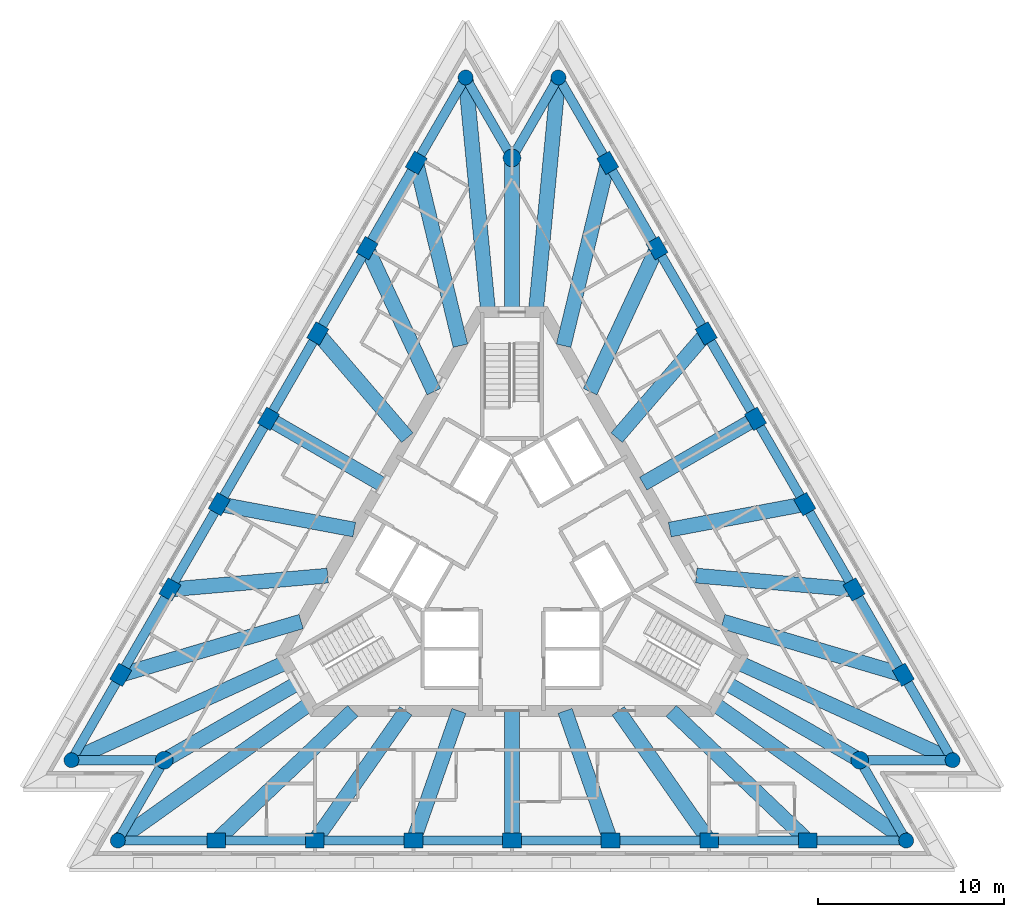
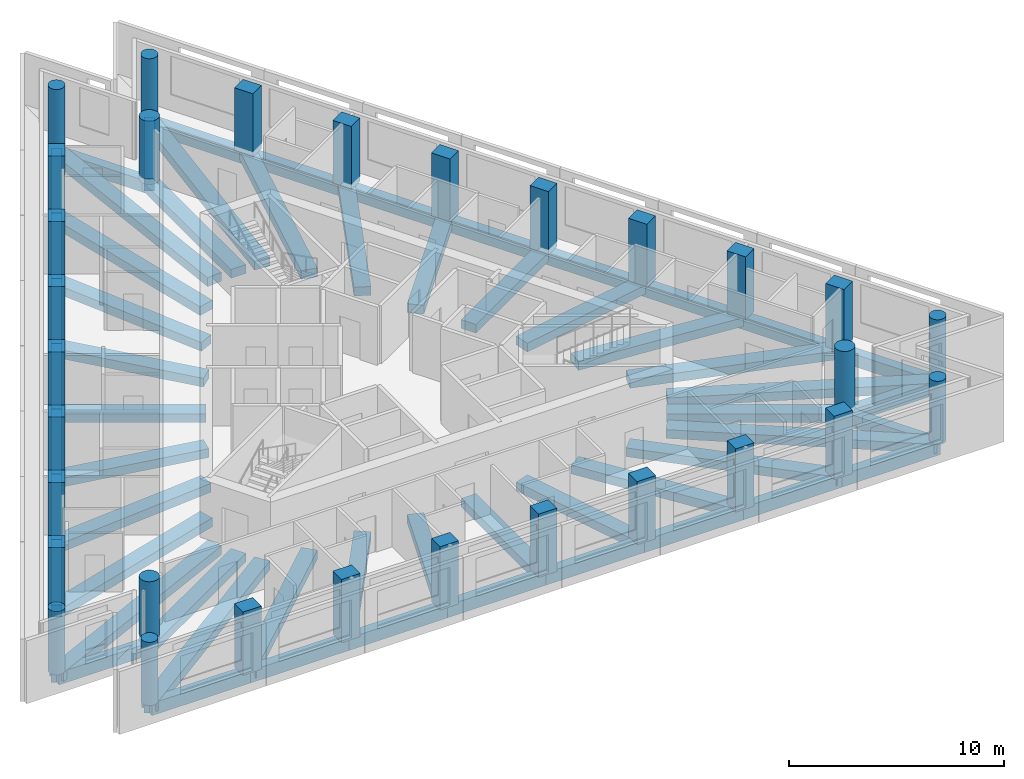
# One storey, part 1 of 11: 60 beams, 30 columns.
"""IFC4 building model written with IfcOpenShell, lengths in metres."""

from ifc_helpers import new_model, si_unit, direction, frame, origin, origin_2d, place, context, subcontext, project, spatial, rectangle, circle, extrude, material, material_profile, profile_set, type_object, element, save


model = new_model("IFC4")

# Units and contexts
model_context = context("Model", 3, precision=1e-05, world=origin(), true_north=direction((0.0, 1.0)))
body_context = subcontext(model_context, "Body", "Model", "MODEL_VIEW")
ifc_project = project(units=[si_unit("LENGTHUNIT", "METRE"), si_unit("AREAUNIT", "SQUARE_METRE"), si_unit("VOLUMEUNIT", "CUBIC_METRE"), si_unit("PLANEANGLEUNIT", "RADIAN"), si_unit("MASSUNIT", "GRAM", prefix="KILO")], contexts=[model_context])

# Site, building, storey
site_placement = place(None, origin())
site = spatial("IfcSite", under=ifc_project, at=site_placement, CompositionType="ELEMENT")
building_placement = place(site_placement, origin())
building = spatial("IfcBuilding", under=site, at=building_placement, Name="Triada Interchange Tower", CompositionType="ELEMENT")
storey_placement = place(building_placement, frame((0.0, 0.0, 304.300048828125)))
storey = spatial("IfcBuildingStorey", under=building, at=storey_placement, Name="L72", CompositionType="ELEMENT", Elevation=304.300048828125)

# Columns
ifc_material_1 = material(Name="Concrete C40/50", Category="concrete")
ifc_material_profile_1 = material_profile(ifc_material_1, rectangle(XDim=1.0, YDim=0.800048828125, at=origin_2d()), Name="RC 1000x800")
ifc_profile_set_1 = profile_set([ifc_material_profile_1], Name="Concrete C40/50")
column_type_1 = type_object("IfcColumnType", Name="Column D face RC 1000x800", PredefinedType="COLUMN", material=ifc_profile_set_1)
for number, where, z_axis, x_axis, name in (
    (1, (-5.14794921875, 21.3359375, -0.300048828125), (0.0, 0.0, 1.0), (0.5, 0.866025403784, 0.0), "Column CD02 L72"),
    (2, (-7.799072265625, 16.7451171875, -0.300048828125), (0.0, 0.0, 1.0), (0.5, 0.866025403784, 0.0), "Column CD03 L72"),
    (3, (-10.449951171875, 12.154052734375, -0.300048828125), (0.0, 0.0, 1.0), (0.5, 0.866025403784, 0.0), "Column CD04 L72"),
    (4, (-13.10009765625, 7.56298828125, -0.300048828125), (0.0, 0.0, 1.0), (0.5, 0.866025403784, 0.0), "Column CD05 L72"),
    (5, (-15.7509765625, 2.972900390625, -0.300048828125), (0.0, 0.0, 1.0), (0.5, 0.866025403784, 0.0), "Column CD06 L72"),
    (6, (-18.40087890625, -1.617919921875, -0.300048828125), (0.0, 0.0, 1.0), (0.5, 0.866025403784, 0.0), "Column CD07 L72"),
    (7, (-21.052001953125, -6.208984375, -0.300048828125), (0.0, 0.0, 1.0), (0.5, 0.866025403784, 0.0), "Column CD08 L72"),
    (8, (-15.903076171875, -15.126953125, -0.300048828125), (0.0, 0.0, 1.0), (1.0, 0.0, 0.0), "Column CD11 L72"),
    (9, (-10.60205078125, -15.126953125, -0.300048828125), (0.0, 0.0, 1.0), (1.0, 0.0, 0.0), "Column CD12 L72"),
    (10, (-5.301025390625, -15.126953125, -0.300048828125), (0.0, 0.0, 1.0), (1.0, 0.0, 0.0), "Column CD13 L72"),
    (11, (0.0, -15.126953125, -0.300048828125), (0.0, 0.0, 1.0), (1.0, 0.0, 0.0), "Column CD14 L72"),
    (12, (5.301025390625, -15.126953125, -0.300048828125), (0.0, 0.0, 1.0), (1.0, 0.0, 0.0), "Column CD15 L72"),
    (13, (10.60205078125, -15.126953125, -0.300048828125), (0.0, 0.0, 1.0), (1.0, 0.0, 0.0), "Column CD16 L72"),
    (14, (15.903076171875, -15.126953125, -0.300048828125), (0.0, 0.0, 1.0), (1.0, 0.0, 0.0), "Column CD17 L72"),
    (15, (21.052001953125, -6.208984375, -0.300048828125), (0.0, 0.0, 1.0), (-0.5, 0.866025403784, 0.0), "Column CD20 L72"),
    (16, (18.40087890625, -1.617919921875, -0.300048828125), (0.0, 0.0, 1.0), (-0.5, 0.866025403784, 0.0), "Column CD21 L72"),
    (17, (15.7509765625, 2.972900390625, -0.300048828125), (0.0, 0.0, 1.0), (-0.5, 0.866025403784, 0.0), "Column CD22 L72"),
    (18, (13.10009765625, 7.56396484375, -0.300048828125), (0.0, 0.0, 1.0), (-0.5, 0.866025403784, 0.0), "Column CD23 L72"),
    (19, (10.449951171875, 12.154052734375, -0.300048828125), (0.0, 0.0, 1.0), (-0.5, 0.866025403784, 0.0), "Column CD24 L72"),
    (20, (7.799072265625, 16.7451171875, -0.300048828125), (0.0, 0.0, 1.0), (-0.5, 0.866025403784, 0.0), "Column CD25 L72"),
    (21, (5.14892578125, 21.3359375, -0.300048828125), (0.0, 0.0, 1.0), (-0.5, 0.866025403784, 0.0), "Column CD26 L72"),
):
    element("IfcColumn", number, at=place(storey_placement, frame(where, z_axis=z_axis, x_axis=x_axis)), inside=storey, type_object=column_type_1, Name=name, PredefinedType="COLUMN", context=body_context, shape_type="SweptSolid", body=[
        extrude(rectangle(XDim=1.0, YDim=0.800048828125, at=origin_2d()), origin(), (0.0, 0.0, 1.0), 3.60009765625),
    ])
ifc_material_profile_2 = material_profile(ifc_material_1, circle(Radius=0.39990234375, at=origin_2d()), Name="RC D800")
ifc_profile_set_2 = profile_set([ifc_material_profile_2], Name="Concrete C40/50")
column_type_2 = type_object("IfcColumnType", Name="End column D RC D800", PredefinedType="COLUMN", material=ifc_profile_set_2)
for number, where, z_axis, x_axis, name in (
    (22, (-2.498046875, 25.927001953125, -0.300048828125), (0.0, 0.0, 1.0), (0.5, 0.866025403784, 0.0), "Column CD01 L72"),
    (23, (-23.701904296875, -10.800048828125, -0.300048828125), (0.0, 0.0, 1.0), (0.5, 0.866025403784, 0.0), "Column CD09 L72"),
    (24, (-21.2041015625, -15.126953125, -0.300048828125), (0.0, 0.0, 1.0), (1.0, 0.0, 0.0), "Column CD10 L72"),
    (25, (21.2041015625, -15.126953125, -0.300048828125), (0.0, 0.0, 1.0), (1.0, 0.0, 0.0), "Column CD18 L72"),
    (26, (23.701904296875, -10.800048828125, -0.300048828125), (0.0, 0.0, 1.0), (-0.5, 0.866025403784, 0.0), "Column CD19 L72"),
    (27, (2.498046875, 25.927001953125, -0.300048828125), (0.0, 0.0, 1.0), (-0.5, 0.866025403784, 0.0), "Column CD27 L72"),
):
    element("IfcColumn", number, at=place(storey_placement, frame(where, z_axis=z_axis, x_axis=x_axis)), inside=storey, type_object=column_type_2, Name=name, PredefinedType="COLUMN", context=body_context, shape_type="SweptSolid", body=[
        extrude(circle(Radius=0.39990234375, at=origin_2d()), origin(), (0.0, 0.0, 1.0), 3.60009765625),
    ])
ifc_material_profile_3 = material_profile(ifc_material_1, circle(Radius=0.47509765625, at=origin_2d()), Name="RC D950")
ifc_profile_set_3 = profile_set([ifc_material_profile_3], Name="Concrete C40/50")
column_type_3 = type_object("IfcColumnType", Name="Mega column D RC D950", PredefinedType="COLUMN", material=ifc_profile_set_3)
for number, where, z_axis, x_axis, name in (
    (28, (0.0, 21.59912109375, -0.300048828125), (0.0, 0.0, 1.0), (1.0, 0.0, 0.0), "Column MD1 L72"),
    (29, (-18.705078125, -10.800048828125, -0.300048828125), (0.0, 0.0, 1.0), (1.0, 0.0, 0.0), "Column MD2 L72"),
    (30, (18.705078125, -10.800048828125, -0.300048828125), (0.0, 0.0, 1.0), (1.0, 0.0, 0.0), "Column MD3 L72"),
):
    element("IfcColumn", number, at=place(storey_placement, frame(where, z_axis=z_axis, x_axis=x_axis)), inside=storey, type_object=column_type_3, Name=name, PredefinedType="COLUMN", context=body_context, shape_type="SweptSolid", body=[
        extrude(circle(Radius=0.47509765625, at=origin_2d()), origin(), (0.0, 0.0, 1.0), 3.60009765625),
    ])

# Beams
ifc_material_2 = material(Name="Concrete C50/60", Category="concrete")
ifc_material_profile_4 = material_profile(ifc_material_2, rectangle(XDim=0.800048828125, YDim=0.5, at=origin_2d()), Name="RC 800x500")
ifc_profile_set_4 = profile_set([ifc_material_profile_4], Name="Concrete C50/60")
beam_type_1 = type_object("IfcBeamType", Name="Radial band beam D RC 800x500", PredefinedType="BEAM", material=ifc_profile_set_4)
beam_1_placement = place(storey_placement, frame((-2.498046875, 25.927001953125, -0.550048828125), z_axis=(0.095939769878, -0.995387141044, 0.0), x_axis=(0.995387141044, 0.095939769878, 0.0)))
element("IfcBeam", 31, at=beam_1_placement, inside=storey, type_object=beam_type_1, Name="Radial band beam BD01 L72", PredefinedType="BEAM", context=body_context, shape_type="SweptSolid", body=[
    extrude(rectangle(XDim=0.800048828125, YDim=0.5, at=origin_2d()), origin(), (0.0, 0.0, 1.0), 12.685546875),
])
beam_2_placement = place(storey_placement, frame((-5.14794921875, 21.3359375, -0.550048828125), z_axis=(0.23453679136, -0.972107243826, 0.0), x_axis=(0.972107243826, 0.23453679136, 0.0)))
element("IfcBeam", 32, at=beam_2_placement, inside=storey, type_object=beam_type_1, Name="Radial band beam BD02 L72", PredefinedType="BEAM", context=body_context, shape_type="SweptSolid", body=[
    extrude(rectangle(XDim=0.800048828125, YDim=0.5, at=origin_2d()), origin(), (0.0, 0.0, 1.0), 10.1220703125),
])
beam_3_placement = place(storey_placement, frame((-7.799072265625, 16.7451171875, -0.550048828125), z_axis=(0.422213926037, -0.906496222088, 0.0), x_axis=(0.906496222088, 0.422213926037, 0.0)))
element("IfcBeam", 33, at=beam_3_placement, inside=storey, type_object=beam_type_1, Name="Radial band beam BD03 L72", PredefinedType="BEAM", context=body_context, shape_type="SweptSolid", body=[
    extrude(rectangle(XDim=0.800048828125, YDim=0.5, at=origin_2d()), origin(), (0.0, 0.0, 1.0), 8.519775390625),
])
beam_4_placement = place(storey_placement, frame((-10.449951171875, 12.154052734375, -0.550048828125), z_axis=(0.651957260015, -0.758255716176, 0.0), x_axis=(0.758255716176, 0.651957260015, 0.0)))
element("IfcBeam", 34, at=beam_4_placement, inside=storey, type_object=beam_type_1, Name="Radial band beam BD04 L72", PredefinedType="BEAM", context=body_context, shape_type="SweptSolid", body=[
    extrude(rectangle(XDim=0.800048828125, YDim=0.5, at=origin_2d()), origin(), (0.0, 0.0, 1.0), 7.393310546875),
])
beam_5_placement = place(storey_placement, frame((-13.10009765625, 7.56298828125, -0.550048828125), z_axis=(0.866044563634, -0.499966812698, 0.0), x_axis=(0.499966812698, 0.866044563634, 0.0)))
element("IfcBeam", 35, at=beam_5_placement, inside=storey, type_object=beam_type_1, Name="Radial band beam BD05 L72", PredefinedType="BEAM", context=body_context, shape_type="SweptSolid", body=[
    extrude(rectangle(XDim=0.800048828125, YDim=0.5, at=origin_2d()), origin(), (0.0, 0.0, 1.0), 6.9765625),
])
beam_6_placement = place(storey_placement, frame((-15.7509765625, 2.972900390625, -0.550048828125), z_axis=(0.98265881565, -0.18542290049, 0.0), x_axis=(0.18542290049, 0.98265881565, 0.0)))
element("IfcBeam", 36, at=beam_6_placement, inside=storey, type_object=beam_type_1, Name="Radial band beam BD06 L72", PredefinedType="BEAM", context=body_context, shape_type="SweptSolid", body=[
    extrude(rectangle(XDim=0.800048828125, YDim=0.5, at=origin_2d()), origin(), (0.0, 0.0, 1.0), 7.39306640625),
])
beam_7_placement = place(storey_placement, frame((-18.40087890625, -1.617919921875, -0.550048828125), z_axis=(0.99616048749, 0.087545891758, 0.0), x_axis=(-0.087545891758, 0.99616048749, 0.0)))
element("IfcBeam", 37, at=beam_7_placement, inside=storey, type_object=beam_type_1, Name="Radial band beam BD07 L72", PredefinedType="BEAM", context=body_context, shape_type="SweptSolid", body=[
    extrude(rectangle(XDim=0.800048828125, YDim=0.5, at=origin_2d()), origin(), (0.0, 0.0, 1.0), 8.51953125),
])
beam_8_placement = place(storey_placement, frame((-21.052001953125, -6.208984375, -0.550048828125), z_axis=(0.959147479371, 0.282906544315, 0.0), x_axis=(-0.282906544315, 0.959147479371, 0.0)))
element("IfcBeam", 38, at=beam_8_placement, inside=storey, type_object=beam_type_1, Name="Radial band beam BD08 L72", PredefinedType="BEAM", context=body_context, shape_type="SweptSolid", body=[
    extrude(rectangle(XDim=0.800048828125, YDim=0.5, at=origin_2d()), origin(), (0.0, 0.0, 1.0), 10.12353515625),
])
beam_9_placement = place(storey_placement, frame((-23.701904296875, -10.800048828125, -0.550048828125), z_axis=(0.909973888485, 0.414665554725, 0.0), x_axis=(-0.414665554725, 0.909973888485, 0.0)))
element("IfcBeam", 39, at=beam_9_placement, inside=storey, type_object=beam_type_1, Name="Radial band beam BD09 L72", PredefinedType="BEAM", context=body_context, shape_type="SweptSolid", body=[
    extrude(rectangle(XDim=0.800048828125, YDim=0.5, at=origin_2d()), origin(), (0.0, 0.0, 1.0), 12.68505859375),
])
beam_10_placement = place(storey_placement, frame((-18.705078125, -10.800048828125, -0.550048828125), z_axis=(0.865987661239, 0.500065366309, 0.0), x_axis=(-0.500065366309, 0.865987661239, 0.0)))
element("IfcBeam", 40, at=beam_10_placement, inside=storey, type_object=beam_type_1, Name="Radial band beam BD10 L72", PredefinedType="BEAM", context=body_context, shape_type="SweptSolid", body=[
    extrude(rectangle(XDim=0.800048828125, YDim=0.5, at=origin_2d()), origin(), (0.0, 0.0, 1.0), 8.29931640625),
])
beam_11_placement = place(storey_placement, frame((-21.2041015625, -15.126953125, -0.550048828125), z_axis=(0.814090922147, 0.58073743678, 0.0), x_axis=(-0.58073743678, 0.814090922147, 0.0)))
element("IfcBeam", 41, at=beam_11_placement, inside=storey, type_object=beam_type_1, Name="Radial band beam BD11 L72", PredefinedType="BEAM", context=body_context, shape_type="SweptSolid", body=[
    extrude(rectangle(XDim=0.800048828125, YDim=0.5, at=origin_2d()), origin(), (0.0, 0.0, 1.0), 12.685546875),
])
beam_12_placement = place(storey_placement, frame((-15.903076171875, -15.126953125, -0.550048828125), z_axis=(0.724563348974, 0.689208207528, 0.0), x_axis=(-0.689208207528, 0.724563348974, 0.0)))
element("IfcBeam", 42, at=beam_12_placement, inside=storey, type_object=beam_type_1, Name="Radial band beam BD12 L72", PredefinedType="BEAM", context=body_context, shape_type="SweptSolid", body=[
    extrude(rectangle(XDim=0.800048828125, YDim=0.5, at=origin_2d()), origin(), (0.0, 0.0, 1.0), 10.123291015625),
])
beam_13_placement = place(storey_placement, frame((-10.60205078125, -15.126953125, -0.550048828125), z_axis=(0.573950716028, 0.818889843368, 0.0), x_axis=(-0.818889843368, 0.573950716028, 0.0)))
element("IfcBeam", 43, at=beam_13_placement, inside=storey, type_object=beam_type_1, Name="Radial band beam BD13 L72", PredefinedType="BEAM", context=body_context, shape_type="SweptSolid", body=[
    extrude(rectangle(XDim=0.800048828125, YDim=0.5, at=origin_2d()), origin(), (0.0, 0.0, 1.0), 8.52001953125),
])
beam_14_placement = place(storey_placement, frame((-5.301025390625, -15.126953125, -0.550048828125), z_axis=(0.330724020602, 0.943727514803, 0.0), x_axis=(-0.943727514803, 0.330724020602, 0.0)))
element("IfcBeam", 44, at=beam_14_placement, inside=storey, type_object=beam_type_1, Name="Radial band beam BD14 L72", PredefinedType="BEAM", context=body_context, shape_type="SweptSolid", body=[
    extrude(rectangle(XDim=0.800048828125, YDim=0.5, at=origin_2d()), origin(), (0.0, 0.0, 1.0), 7.39306640625),
])
beam_15_placement = place(storey_placement, frame((0.0, -15.126953125, -0.550048828125), z_axis=(0.0, 1.0, 0.0), x_axis=(-1.0, 0.0, 0.0)))
element("IfcBeam", 45, at=beam_15_placement, inside=storey, type_object=beam_type_1, Name="Radial band beam BD15 L72", PredefinedType="BEAM", context=body_context, shape_type="SweptSolid", body=[
    extrude(rectangle(XDim=0.800048828125, YDim=0.5, at=origin_2d()), origin(), (0.0, 0.0, 1.0), 6.97705078125),
])
beam_16_placement = place(storey_placement, frame((5.301025390625, -15.126953125, -0.550048828125), z_axis=(-0.330724020602, 0.943727514803, 0.0), x_axis=(-0.943727514803, -0.330724020602, 0.0)))
element("IfcBeam", 46, at=beam_16_placement, inside=storey, type_object=beam_type_1, Name="Radial band beam BD16 L72", PredefinedType="BEAM", context=body_context, shape_type="SweptSolid", body=[
    extrude(rectangle(XDim=0.800048828125, YDim=0.5, at=origin_2d()), origin(), (0.0, 0.0, 1.0), 7.39306640625),
])
beam_17_placement = place(storey_placement, frame((10.60205078125, -15.126953125, -0.550048828125), z_axis=(-0.573950716028, 0.818889843368, 0.0), x_axis=(-0.818889843368, -0.573950716028, 0.0)))
element("IfcBeam", 47, at=beam_17_placement, inside=storey, type_object=beam_type_1, Name="Radial band beam BD17 L72", PredefinedType="BEAM", context=body_context, shape_type="SweptSolid", body=[
    extrude(rectangle(XDim=0.800048828125, YDim=0.5, at=origin_2d()), origin(), (0.0, 0.0, 1.0), 8.52001953125),
])
beam_18_placement = place(storey_placement, frame((15.903076171875, -15.126953125, -0.550048828125), z_axis=(-0.724563348974, 0.689208207528, 0.0), x_axis=(-0.689208207528, -0.724563348974, 0.0)))
element("IfcBeam", 48, at=beam_18_placement, inside=storey, type_object=beam_type_1, Name="Radial band beam BD18 L72", PredefinedType="BEAM", context=body_context, shape_type="SweptSolid", body=[
    extrude(rectangle(XDim=0.800048828125, YDim=0.5, at=origin_2d()), origin(), (0.0, 0.0, 1.0), 10.123291015625),
])
beam_19_placement = place(storey_placement, frame((21.2041015625, -15.126953125, -0.550048828125), z_axis=(-0.814090922147, 0.58073743678, 0.0), x_axis=(-0.58073743678, -0.814090922147, 0.0)))
element("IfcBeam", 49, at=beam_19_placement, inside=storey, type_object=beam_type_1, Name="Radial band beam BD19 L72", PredefinedType="BEAM", context=body_context, shape_type="SweptSolid", body=[
    extrude(rectangle(XDim=0.800048828125, YDim=0.5, at=origin_2d()), origin(), (0.0, 0.0, 1.0), 12.685546875),
])
beam_20_placement = place(storey_placement, frame((18.705078125, -10.800048828125, -0.550048828125), z_axis=(-0.865987661239, 0.500065366309, 0.0), x_axis=(-0.500065366309, -0.865987661239, 0.0)))
element("IfcBeam", 50, at=beam_20_placement, inside=storey, type_object=beam_type_1, Name="Radial band beam BD20 L72", PredefinedType="BEAM", context=body_context, shape_type="SweptSolid", body=[
    extrude(rectangle(XDim=0.800048828125, YDim=0.5, at=origin_2d()), origin(), (0.0, 0.0, 1.0), 8.29931640625),
])
beam_21_placement = place(storey_placement, frame((23.701904296875, -10.800048828125, -0.550048828125), z_axis=(-0.909973888485, 0.414665554725, 0.0), x_axis=(-0.414665554725, -0.909973888485, 0.0)))
element("IfcBeam", 51, at=beam_21_placement, inside=storey, type_object=beam_type_1, Name="Radial band beam BD21 L72", PredefinedType="BEAM", context=body_context, shape_type="SweptSolid", body=[
    extrude(rectangle(XDim=0.800048828125, YDim=0.5, at=origin_2d()), origin(), (0.0, 0.0, 1.0), 12.68505859375),
])
beam_22_placement = place(storey_placement, frame((21.052001953125, -6.208984375, -0.550048828125), z_axis=(-0.959147479371, 0.282906544315, 0.0), x_axis=(-0.282906544315, -0.959147479371, 0.0)))
element("IfcBeam", 52, at=beam_22_placement, inside=storey, type_object=beam_type_1, Name="Radial band beam BD22 L72", PredefinedType="BEAM", context=body_context, shape_type="SweptSolid", body=[
    extrude(rectangle(XDim=0.800048828125, YDim=0.5, at=origin_2d()), origin(), (0.0, 0.0, 1.0), 10.12353515625),
])
beam_23_placement = place(storey_placement, frame((18.40087890625, -1.617919921875, -0.550048828125), z_axis=(-0.99616048749, 0.087545891758, 0.0), x_axis=(-0.087545891758, -0.99616048749, 0.0)))
element("IfcBeam", 53, at=beam_23_placement, inside=storey, type_object=beam_type_1, Name="Radial band beam BD23 L72", PredefinedType="BEAM", context=body_context, shape_type="SweptSolid", body=[
    extrude(rectangle(XDim=0.800048828125, YDim=0.5, at=origin_2d()), origin(), (0.0, 0.0, 1.0), 8.51953125),
])
beam_24_placement = place(storey_placement, frame((15.7509765625, 2.972900390625, -0.550048828125), z_axis=(-0.98265881565, -0.18542290049, 0.0), x_axis=(0.18542290049, -0.98265881565, 0.0)))
element("IfcBeam", 54, at=beam_24_placement, inside=storey, type_object=beam_type_1, Name="Radial band beam BD24 L72", PredefinedType="BEAM", context=body_context, shape_type="SweptSolid", body=[
    extrude(rectangle(XDim=0.800048828125, YDim=0.5, at=origin_2d()), origin(), (0.0, 0.0, 1.0), 7.39306640625),
])
beam_25_placement = place(storey_placement, frame((13.10009765625, 7.56396484375, -0.550048828125), z_axis=(-0.865983951896, -0.500071789904, 0.0), x_axis=(0.500071789904, -0.865983951896, 0.0)))
element("IfcBeam", 55, at=beam_25_placement, inside=storey, type_object=beam_type_1, Name="Radial band beam BD25 L72", PredefinedType="BEAM", context=body_context, shape_type="SweptSolid", body=[
    extrude(rectangle(XDim=0.800048828125, YDim=0.5, at=origin_2d()), origin(), (0.0, 0.0, 1.0), 6.97705078125),
])
beam_26_placement = place(storey_placement, frame((10.449951171875, 12.154052734375, -0.550048828125), z_axis=(-0.651957260015, -0.758255716176, 0.0), x_axis=(0.758255716176, -0.651957260015, 0.0)))
element("IfcBeam", 56, at=beam_26_placement, inside=storey, type_object=beam_type_1, Name="Radial band beam BD26 L72", PredefinedType="BEAM", context=body_context, shape_type="SweptSolid", body=[
    extrude(rectangle(XDim=0.800048828125, YDim=0.5, at=origin_2d()), origin(), (0.0, 0.0, 1.0), 7.393310546875),
])
beam_27_placement = place(storey_placement, frame((7.799072265625, 16.7451171875, -0.550048828125), z_axis=(-0.422213926037, -0.906496222088, 0.0), x_axis=(0.906496222088, -0.422213926037, 0.0)))
element("IfcBeam", 57, at=beam_27_placement, inside=storey, type_object=beam_type_1, Name="Radial band beam BD27 L72", PredefinedType="BEAM", context=body_context, shape_type="SweptSolid", body=[
    extrude(rectangle(XDim=0.800048828125, YDim=0.5, at=origin_2d()), origin(), (0.0, 0.0, 1.0), 8.519775390625),
])
beam_28_placement = place(storey_placement, frame((5.14892578125, 21.3359375, -0.550048828125), z_axis=(-0.234605956845, -0.972090553916, 0.0), x_axis=(0.972090553916, -0.234605956845, 0.0)))
element("IfcBeam", 58, at=beam_28_placement, inside=storey, type_object=beam_type_1, Name="Radial band beam BD28 L72", PredefinedType="BEAM", context=body_context, shape_type="SweptSolid", body=[
    extrude(rectangle(XDim=0.800048828125, YDim=0.5, at=origin_2d()), origin(), (0.0, 0.0, 1.0), 10.123291015625),
])
beam_29_placement = place(storey_placement, frame((2.498046875, 25.927001953125, -0.550048828125), z_axis=(-0.095939769878, -0.995387141044, 0.0), x_axis=(0.995387141044, -0.095939769878, 0.0)))
element("IfcBeam", 59, at=beam_29_placement, inside=storey, type_object=beam_type_1, Name="Radial band beam BD29 L72", PredefinedType="BEAM", context=body_context, shape_type="SweptSolid", body=[
    extrude(rectangle(XDim=0.800048828125, YDim=0.5, at=origin_2d()), origin(), (0.0, 0.0, 1.0), 12.685546875),
])
beam_30_placement = place(storey_placement, frame((0.0, 21.59912109375, -0.550048828125), z_axis=(0.0, -1.0, 0.0), x_axis=(1.0, 0.0, 0.0)))
element("IfcBeam", 60, at=beam_30_placement, inside=storey, type_object=beam_type_1, Name="Radial band beam BD30 L72", PredefinedType="BEAM", context=body_context, shape_type="SweptSolid", body=[
    extrude(rectangle(XDim=0.800048828125, YDim=0.5, at=origin_2d()), origin(), (0.0, 0.0, 1.0), 8.299072265625),
])
ifc_material_profile_5 = material_profile(ifc_material_2, rectangle(XDim=0.5, YDim=0.699951171875, at=origin_2d()), Name="RC 500x700")
ifc_profile_set_5 = profile_set([ifc_material_profile_5], Name="Concrete C50/60")
beam_type_2 = type_object("IfcBeamType", Name="Spandrel beam D RC 500x700", PredefinedType="BEAM", material=ifc_profile_set_5)
beam_31_placement = place(storey_placement, frame((-2.498046875, 25.927001953125, -0.650146484375), z_axis=(-0.499893889275, -0.866086658173, 0.0), x_axis=(0.866086658173, -0.499893889275, 0.0)))
element("IfcBeam", 61, at=beam_31_placement, inside=storey, type_object=beam_type_2, Name="Spandrel beam ED01 L72", PredefinedType="BEAM", context=body_context, shape_type="SweptSolid", body=[
    extrude(rectangle(XDim=0.5, YDim=0.699951171875, at=origin_2d()), origin(), (0.0, 0.0, 1.0), 5.301025390625),
])
beam_32_placement = place(storey_placement, frame((-5.14794921875, 21.3359375, -0.650146484375), z_axis=(-0.500086537648, -0.865975435485, 0.0), x_axis=(0.865975435485, -0.500086537648, 0.0)))
element("IfcBeam", 62, at=beam_32_placement, inside=storey, type_object=beam_type_2, Name="Spandrel beam ED02 L72", PredefinedType="BEAM", context=body_context, shape_type="SweptSolid", body=[
    extrude(rectangle(XDim=0.5, YDim=0.699951171875, at=origin_2d()), origin(), (0.0, 0.0, 1.0), 5.30126953125),
])
beam_33_placement = place(storey_placement, frame((-7.799072265625, 16.7451171875, -0.650146484375), z_axis=(-0.500032058303, -0.866006894123, 0.0), x_axis=(0.866006894123, -0.500032058303, 0.0)))
element("IfcBeam", 63, at=beam_33_placement, inside=storey, type_object=beam_type_2, Name="Spandrel beam ED03 L72", PredefinedType="BEAM", context=body_context, shape_type="SweptSolid", body=[
    extrude(rectangle(XDim=0.5, YDim=0.699951171875, at=origin_2d()), origin(), (0.0, 0.0, 1.0), 5.301513671875),
])
beam_34_placement = place(storey_placement, frame((-10.449951171875, 12.154052734375, -0.650146484375), z_axis=(-0.499928435111, -0.86606671785, 0.0), x_axis=(0.86606671785, -0.499928435111, 0.0)))
element("IfcBeam", 64, at=beam_34_placement, inside=storey, type_object=beam_type_2, Name="Spandrel beam ED04 L72", PredefinedType="BEAM", context=body_context, shape_type="SweptSolid", body=[
    extrude(rectangle(XDim=0.5, YDim=0.699951171875, at=origin_2d()), origin(), (0.0, 0.0, 1.0), 5.301025390625),
])
beam_35_placement = place(storey_placement, frame((-13.10009765625, 7.56298828125, -0.650146484375), z_axis=(-0.500111836632, -0.865960825246, 0.0), x_axis=(0.865960825246, -0.500111836632, 0.0)))
element("IfcBeam", 65, at=beam_35_placement, inside=storey, type_object=beam_type_2, Name="Spandrel beam ED05 L72", PredefinedType="BEAM", context=body_context, shape_type="SweptSolid", body=[
    extrude(rectangle(XDim=0.5, YDim=0.699951171875, at=origin_2d()), origin(), (0.0, 0.0, 1.0), 5.300537109375),
])
beam_36_placement = place(storey_placement, frame((-15.7509765625, 2.972900390625, -0.650146484375), z_axis=(-0.499913830031, -0.866075148324, 0.0), x_axis=(0.866075148324, -0.499913830031, 0.0)))
element("IfcBeam", 66, at=beam_36_placement, inside=storey, type_object=beam_type_2, Name="Spandrel beam ED06 L72", PredefinedType="BEAM", context=body_context, shape_type="SweptSolid", body=[
    extrude(rectangle(XDim=0.5, YDim=0.699951171875, at=origin_2d()), origin(), (0.0, 0.0, 1.0), 5.30078125),
])
beam_37_placement = place(storey_placement, frame((-18.40087890625, -1.617919921875, -0.650146484375), z_axis=(-0.500066594595, -0.865986951963, 0.0), x_axis=(0.865986951963, -0.500066594595, 0.0)))
element("IfcBeam", 67, at=beam_37_placement, inside=storey, type_object=beam_type_2, Name="Spandrel beam ED07 L72", PredefinedType="BEAM", context=body_context, shape_type="SweptSolid", body=[
    extrude(rectangle(XDim=0.5, YDim=0.699951171875, at=origin_2d()), origin(), (0.0, 0.0, 1.0), 5.301513671875),
])
beam_38_placement = place(storey_placement, frame((-21.052001953125, -6.208984375, -0.650146484375), z_axis=(-0.499893889275, -0.866086658173, 0.0), x_axis=(0.866086658173, -0.499893889275, 0.0)))
element("IfcBeam", 68, at=beam_38_placement, inside=storey, type_object=beam_type_2, Name="Spandrel beam ED08 L72", PredefinedType="BEAM", context=body_context, shape_type="SweptSolid", body=[
    extrude(rectangle(XDim=0.5, YDim=0.699951171875, at=origin_2d()), origin(), (0.0, 0.0, 1.0), 5.301025390625),
])
for number, where, z_axis, x_axis, name in (
    (69, (-23.701904296875, -10.800048828125, -0.650146484375), (1.0, 0.0, 0.0), (0.0, 1.0, 0.0), "Spandrel beam ED09 L72"),
    (70, (-18.705078125, -10.800048828125, -0.650146484375), (-0.5001326927, -0.865948780063, 0.0), (0.865948780063, -0.5001326927, 0.0), "Spandrel beam ED10 L72"),
):
    element("IfcBeam", number, at=place(storey_placement, frame(where, z_axis=z_axis, x_axis=x_axis)), inside=storey, type_object=beam_type_2, Name=name, PredefinedType="BEAM", context=body_context, shape_type="SweptSolid", body=[
        extrude(rectangle(XDim=0.5, YDim=0.699951171875, at=origin_2d()), origin(), (0.0, 0.0, 1.0), 4.996826171875),
    ])
for number, where, z_axis, x_axis, name in (
    (71, (-21.2041015625, -15.126953125, -0.650146484375), (1.0, 0.0, 0.0), (0.0, 1.0, 0.0), "Spandrel beam ED11 L72"),
    (72, (-15.903076171875, -15.126953125, -0.650146484375), (1.0, 0.0, 0.0), (0.0, 1.0, 0.0), "Spandrel beam ED12 L72"),
    (73, (-10.60205078125, -15.126953125, -0.650146484375), (1.0, 0.0, 0.0), (0.0, 1.0, 0.0), "Spandrel beam ED13 L72"),
    (74, (-5.301025390625, -15.126953125, -0.650146484375), (1.0, 0.0, 0.0), (0.0, 1.0, 0.0), "Spandrel beam ED14 L72"),
    (75, (0.0, -15.126953125, -0.650146484375), (1.0, 0.0, 0.0), (0.0, 1.0, 0.0), "Spandrel beam ED15 L72"),
    (76, (5.301025390625, -15.126953125, -0.650146484375), (1.0, 0.0, 0.0), (0.0, 1.0, 0.0), "Spandrel beam ED16 L72"),
    (77, (10.60205078125, -15.126953125, -0.650146484375), (1.0, 0.0, 0.0), (0.0, 1.0, 0.0), "Spandrel beam ED17 L72"),
    (78, (15.903076171875, -15.126953125, -0.650146484375), (1.0, 0.0, 0.0), (0.0, 1.0, 0.0), "Spandrel beam ED18 L72"),
):
    element("IfcBeam", number, at=place(storey_placement, frame(where, z_axis=z_axis, x_axis=x_axis)), inside=storey, type_object=beam_type_2, Name=name, PredefinedType="BEAM", context=body_context, shape_type="SweptSolid", body=[
        extrude(rectangle(XDim=0.5, YDim=0.699951171875, at=origin_2d()), origin(), (0.0, 0.0, 1.0), 5.301025390625),
    ])
for number, where, z_axis, x_axis, name in (
    (79, (21.2041015625, -15.126953125, -0.650146484375), (-0.5001326927, 0.865948780063, 0.0), (-0.865948780063, -0.5001326927, 0.0), "Spandrel beam ED19 L72"),
    (80, (18.705078125, -10.800048828125, -0.650146484375), (1.0, 0.0, 0.0), (0.0, 1.0, 0.0), "Spandrel beam ED20 L72"),
):
    element("IfcBeam", number, at=place(storey_placement, frame(where, z_axis=z_axis, x_axis=x_axis)), inside=storey, type_object=beam_type_2, Name=name, PredefinedType="BEAM", context=body_context, shape_type="SweptSolid", body=[
        extrude(rectangle(XDim=0.5, YDim=0.699951171875, at=origin_2d()), origin(), (0.0, 0.0, 1.0), 4.996826171875),
    ])
beam_39_placement = place(storey_placement, frame((23.701904296875, -10.800048828125, -0.650146484375), z_axis=(-0.499893889275, 0.866086658173, 0.0), x_axis=(-0.866086658173, -0.499893889275, 0.0)))
element("IfcBeam", 81, at=beam_39_placement, inside=storey, type_object=beam_type_2, Name="Spandrel beam ED21 L72", PredefinedType="BEAM", context=body_context, shape_type="SweptSolid", body=[
    extrude(rectangle(XDim=0.5, YDim=0.699951171875, at=origin_2d()), origin(), (0.0, 0.0, 1.0), 5.301025390625),
])
beam_40_placement = place(storey_placement, frame((21.052001953125, -6.208984375, -0.650146484375), z_axis=(-0.500066594595, 0.865986951963, 0.0), x_axis=(-0.865986951963, -0.500066594595, 0.0)))
element("IfcBeam", 82, at=beam_40_placement, inside=storey, type_object=beam_type_2, Name="Spandrel beam ED22 L72", PredefinedType="BEAM", context=body_context, shape_type="SweptSolid", body=[
    extrude(rectangle(XDim=0.5, YDim=0.699951171875, at=origin_2d()), origin(), (0.0, 0.0, 1.0), 5.301513671875),
])
beam_41_placement = place(storey_placement, frame((18.40087890625, -1.617919921875, -0.650146484375), z_axis=(-0.499913830031, 0.866075148324, 0.0), x_axis=(-0.866075148324, -0.499913830031, 0.0)))
element("IfcBeam", 83, at=beam_41_placement, inside=storey, type_object=beam_type_2, Name="Spandrel beam ED23 L72", PredefinedType="BEAM", context=body_context, shape_type="SweptSolid", body=[
    extrude(rectangle(XDim=0.5, YDim=0.699951171875, at=origin_2d()), origin(), (0.0, 0.0, 1.0), 5.30078125),
])
beam_42_placement = place(storey_placement, frame((15.7509765625, 2.972900390625, -0.650146484375), z_axis=(-0.500032058303, 0.866006894123, 0.0), x_axis=(-0.866006894123, -0.500032058303, 0.0)))
element("IfcBeam", 84, at=beam_42_placement, inside=storey, type_object=beam_type_2, Name="Spandrel beam ED24 L72", PredefinedType="BEAM", context=body_context, shape_type="SweptSolid", body=[
    extrude(rectangle(XDim=0.5, YDim=0.699951171875, at=origin_2d()), origin(), (0.0, 0.0, 1.0), 5.301513671875),
])
beam_43_placement = place(storey_placement, frame((13.10009765625, 7.56396484375, -0.650146484375), z_axis=(-0.50000820793, 0.866020664882, 0.0), x_axis=(-0.866020664882, -0.50000820793, 0.0)))
element("IfcBeam", 85, at=beam_43_placement, inside=storey, type_object=beam_type_2, Name="Spandrel beam ED25 L72", PredefinedType="BEAM", context=body_context, shape_type="SweptSolid", body=[
    extrude(rectangle(XDim=0.5, YDim=0.699951171875, at=origin_2d()), origin(), (0.0, 0.0, 1.0), 5.30029296875),
])
beam_44_placement = place(storey_placement, frame((10.449951171875, 12.154052734375, -0.650146484375), z_axis=(-0.500032058303, 0.866006894123, 0.0), x_axis=(-0.866006894123, -0.500032058303, 0.0)))
element("IfcBeam", 86, at=beam_44_placement, inside=storey, type_object=beam_type_2, Name="Spandrel beam ED26 L72", PredefinedType="BEAM", context=body_context, shape_type="SweptSolid", body=[
    extrude(rectangle(XDim=0.5, YDim=0.699951171875, at=origin_2d()), origin(), (0.0, 0.0, 1.0), 5.301513671875),
])
beam_45_placement = place(storey_placement, frame((7.799072265625, 16.7451171875, -0.650146484375), z_axis=(-0.499948376327, 0.866055206675, 0.0), x_axis=(-0.866055206675, -0.499948376327, 0.0)))
element("IfcBeam", 87, at=beam_45_placement, inside=storey, type_object=beam_type_2, Name="Spandrel beam ED27 L72", PredefinedType="BEAM", context=body_context, shape_type="SweptSolid", body=[
    extrude(rectangle(XDim=0.5, YDim=0.699951171875, at=origin_2d()), origin(), (0.0, 0.0, 1.0), 5.30078125),
])
beam_46_placement = place(storey_placement, frame((5.14892578125, 21.3359375, -0.650146484375), z_axis=(-0.500032058303, 0.866006894123, 0.0), x_axis=(-0.866006894123, -0.500032058303, 0.0)))
element("IfcBeam", 88, at=beam_46_placement, inside=storey, type_object=beam_type_2, Name="Spandrel beam ED28 L72", PredefinedType="BEAM", context=body_context, shape_type="SweptSolid", body=[
    extrude(rectangle(XDim=0.5, YDim=0.699951171875, at=origin_2d()), origin(), (0.0, 0.0, 1.0), 5.301513671875),
])
for number, where, z_axis, x_axis, name in (
    (89, (2.498046875, 25.927001953125, -0.650146484375), (-0.499901493578, -0.866082269024, 0.0), (0.866082269024, -0.499901493578, 0.0), "Spandrel beam ED29 L72"),
    (90, (0.0, 21.59912109375, -0.650146484375), (-0.499901493578, 0.866082269024, 0.0), (-0.866082269024, -0.499901493578, 0.0), "Spandrel beam ED30 L72"),
):
    element("IfcBeam", number, at=place(storey_placement, frame(where, z_axis=z_axis, x_axis=x_axis)), inside=storey, type_object=beam_type_2, Name=name, PredefinedType="BEAM", context=body_context, shape_type="SweptSolid", body=[
        extrude(rectangle(XDim=0.5, YDim=0.699951171875, at=origin_2d()), origin(), (0.0, 0.0, 1.0), 4.9970703125),
    ])

save(model, "model.ifc")
